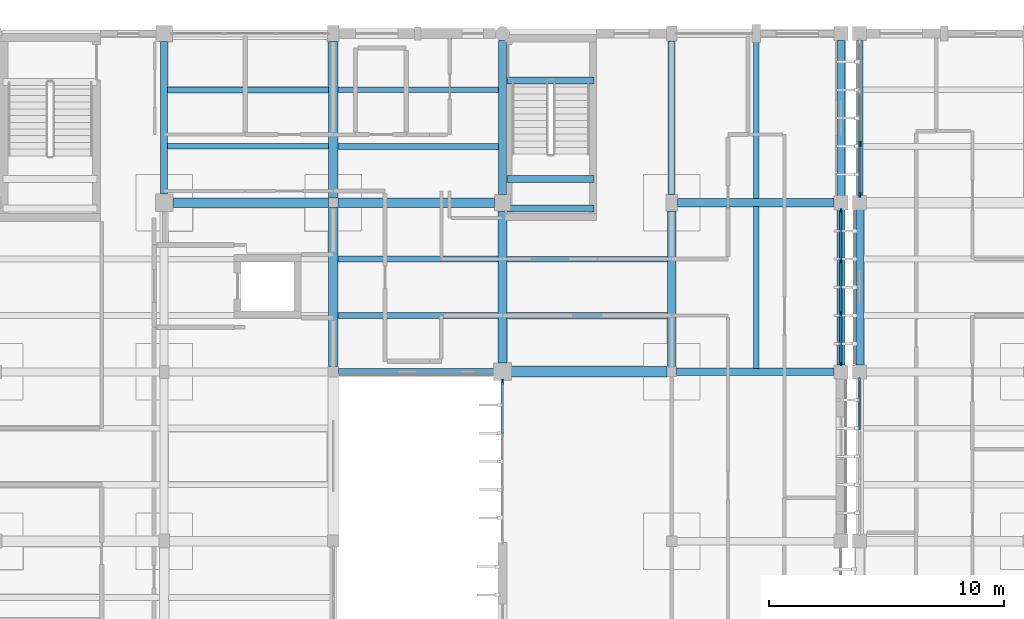
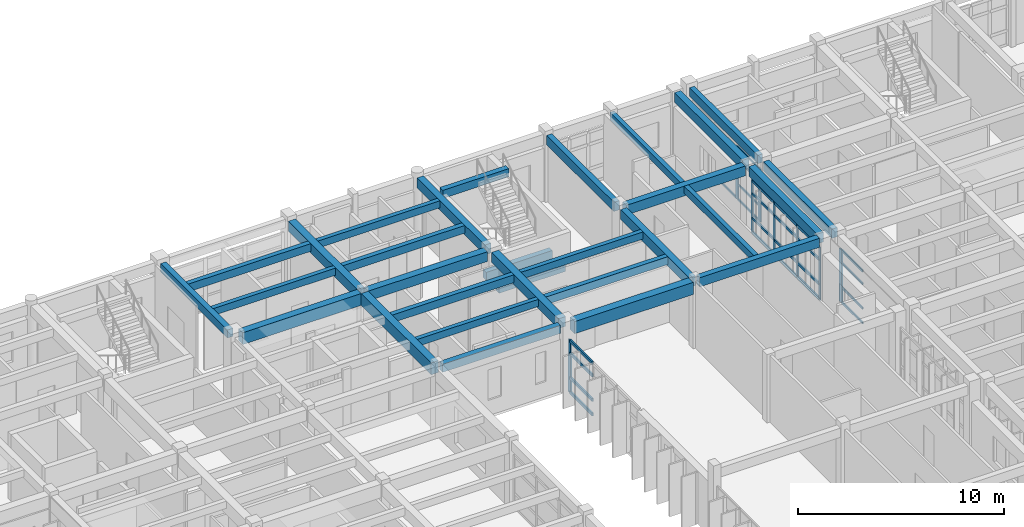
# One storey, part 17 of 55: 33 members, 30 beams, 4 elements without a shape of their own.
"""IFC4 building model written with IfcOpenShell, lengths in metres."""

from ifc_helpers import new_model, si_unit, direction, frame, origin, origin_2d, place, context, subcontext, project, spatial, rectangle, extrude, material, material_profile, profile_set, type_object, element, aggregate, save


model = new_model("IFC4")

# Units and contexts
model_context = context("Model", 3, precision=1e-05, world=origin(), true_north=direction((0.0, 1.0)))
body_context = subcontext(model_context, "Body", "Model", "MODEL_VIEW")
ifc_project = project(units=[si_unit("LENGTHUNIT", "METRE"), si_unit("AREAUNIT", "SQUARE_METRE"), si_unit("VOLUMEUNIT", "CUBIC_METRE"), si_unit("PLANEANGLEUNIT", "RADIAN"), si_unit("MASSUNIT", "GRAM", prefix="KILO")], contexts=[model_context])

# Site, building, storey
site_placement = place(None, origin())
site = spatial("IfcSite", under=ifc_project, at=site_placement, CompositionType="ELEMENT")
building_placement = place(site_placement, origin())
building = spatial("IfcBuilding", under=site, at=building_placement, Name="Steenspoor Specialist Clinic", CompositionType="ELEMENT")
storey_placement = place(building_placement, frame((0.0, 0.0, 13.199951171875)))
storey = spatial("IfcBuildingStorey", under=building, at=storey_placement, Name="L03", CompositionType="ELEMENT", Elevation=13.199951171875)

# Beams
ifc_material_1 = material(Name="Concrete C35/45", Category="concrete")
ifc_material_profile_1 = material_profile(ifc_material_1, rectangle(XDim=0.300048828125, YDim=0.47998046875, at=origin_2d()), Name="RC-BM-300X480")
ifc_profile_set_1 = profile_set([ifc_material_profile_1], Name="Concrete C35/45")
beam_type_1 = type_object("IfcBeamType", Name="BM-RC-300X480", PredefinedType="BEAM", material=ifc_profile_set_1)
for number, where, z_axis, x_axis, name in (
    (1, (103.0, 102.14990234375, 1.66015625), (1.0, 0.0, 0.0), (0.0, 1.0, 0.0), "Stair Mid-Landing Bearer 1 ST-V4B L03"),
    (2, (103.0, 100.89990234375, 1.66015625), (1.0, 0.0, 0.0), (0.0, 1.0, 0.0), "Stair Mid-Landing Bearer 2 ST-V4B L03"),
    (3, (103.0, 106.35009765625, 3.9599609375), (1.0, 0.0, 0.0), (0.0, 1.0, 0.0), "Stair Well Trimmer Beam ST-V4B L03"),
):
    element("IfcBeam", number, at=place(storey_placement, frame(where, z_axis=z_axis, x_axis=x_axis)), inside=storey, type_object=beam_type_1, Name=name, PredefinedType="BEAM", context=body_context, shape_type="SweptSolid", body=[
        extrude(rectangle(XDim=0.300048828125, YDim=0.47998046875, at=origin_2d()), origin(), (0.0, 0.0, 1.0), 3.699951171875),
    ])
beam_1_placement = place(storey_placement, frame((95.820068359375, 93.949951171875, 3.7099609375), z_axis=(1.0, 0.0, 0.0), x_axis=(0.0, 1.0, 0.0)))
element("IfcBeam", 4, at=beam_1_placement, inside=storey, type_object=beam_type_1, Name="BM-V4-L03-X0823", PredefinedType="BEAM", context=body_context, shape_type="SweptSolid", body=[
    extrude(rectangle(XDim=0.300048828125, YDim=0.47998046875, at=origin_2d()), origin(), (0.0, 0.0, 1.0), 6.60986328125),
])
beam_2_placement = place(storey_placement, frame((88.39990234375, 101.52001953125, 3.7099609375), z_axis=(0.0, 1.0, 0.0), x_axis=(-1.0, 0.0, 0.0)))
element("IfcBeam", 5, at=beam_2_placement, inside=storey, type_object=beam_type_1, Name="BM-V4-L03-Y0854", PredefinedType="BEAM", context=body_context, shape_type="SweptSolid", body=[
    extrude(rectangle(XDim=0.300048828125, YDim=0.47998046875, at=origin_2d()), origin(), (0.0, 0.0, 1.0), 6.48486328125),
])
ifc_material_profile_2 = material_profile(ifc_material_1, rectangle(XDim=0.300048828125, YDim=0.550048828125, at=origin_2d()), Name="RC-BM-300X550")
ifc_profile_set_2 = profile_set([ifc_material_profile_2], Name="Concrete C35/45")
beam_type_2 = type_object("IfcBeamType", Name="BM-RC-300X550", PredefinedType="BEAM", material=ifc_profile_set_2)
beam_3_placement = place(storey_placement, frame((110.0, 101.4951171875, 3.675048828125), z_axis=(0.0, 1.0, 0.0), x_axis=(-1.0, 0.0, 0.0)))
element("IfcBeam", 6, at=beam_3_placement, inside=storey, type_object=beam_type_2, Name="BM-V4-L03-Y0863", PredefinedType="BEAM", context=body_context, shape_type="SweptSolid", body=[
    extrude(rectangle(XDim=0.300048828125, YDim=0.550048828125, at=origin_2d()), origin(), (0.0, 0.0, 1.0), 6.534912109375),
])
ifc_material_profile_3 = material_profile(ifc_material_1, rectangle(XDim=0.35009765625, YDim=0.580078125, at=origin_2d()), Name="RC-BM-350X580")
ifc_profile_set_3 = profile_set([ifc_material_profile_3], Name="Concrete C35/45")
beam_type_3 = type_object("IfcBeamType", Name="BM-RC-350X580", PredefinedType="BEAM", material=ifc_profile_set_3)
beam_4_placement = place(storey_placement, frame((102.800048828125, 101.4951171875, 3.66015625), z_axis=(0.0, 1.0, 0.0), x_axis=(-1.0, 0.0, 0.0)))
element("IfcBeam", 7, at=beam_4_placement, inside=storey, type_object=beam_type_3, Name="BM-V4-L03-Y0861", PredefinedType="BEAM", context=body_context, shape_type="SweptSolid", body=[
    extrude(rectangle(XDim=0.35009765625, YDim=0.580078125, at=origin_2d()), origin(), (0.0, 0.0, 1.0), 6.559814453125),
])
for number, where, z_axis, x_axis, name in (
    (8, (110.0, 94.14501953125, 3.66015625), (0.0, 1.0, 0.0), (-1.0, 0.0, 0.0), "BM-V4-L03-Y0862"),
    (9, (110.2451171875, 101.14990234375, 3.66015625), (1.0, 0.0, 0.0), (0.0, 1.0, 0.0), "BM-V4-L03-X0908"),
):
    element("IfcBeam", number, at=place(storey_placement, frame(where, z_axis=z_axis, x_axis=x_axis)), inside=storey, type_object=beam_type_3, Name=name, PredefinedType="BEAM", context=body_context, shape_type="SweptSolid", body=[
        extrude(rectangle(XDim=0.35009765625, YDim=0.580078125, at=origin_2d()), origin(), (0.0, 0.0, 1.0), 6.659912109375),
    ])
for number, where, z_axis, x_axis, name in (
    (10, (117.199951171875, 94.2451171875, 3.66015625), (0.0, 1.0, 0.0), (-1.0, 0.0, 0.0), "BM-V4-L03-Y0909"),
    (11, (117.199951171875, 101.445068359375, 3.66015625), (0.0, 1.0, 0.0), (-1.0, 0.0, 0.0), "BM-V4-L03-Y0912"),
):
    element("IfcBeam", number, at=place(storey_placement, frame(where, z_axis=z_axis, x_axis=x_axis)), inside=storey, type_object=beam_type_3, Name=name, PredefinedType="BEAM", context=body_context, shape_type="SweptSolid", body=[
        extrude(rectangle(XDim=0.35009765625, YDim=0.580078125, at=origin_2d()), origin(), (0.0, 0.0, 1.0), 6.60986328125),
    ])
ifc_material_profile_4 = material_profile(ifc_material_1, rectangle(XDim=0.39990234375, YDim=0.580078125, at=origin_2d()), Name="RC-BM-400X580")
ifc_profile_set_4 = profile_set([ifc_material_profile_4], Name="Concrete C35/45")
beam_type_4 = type_object("IfcBeamType", Name="BM-RC-400X580", PredefinedType="BEAM", material=ifc_profile_set_4)
beam_5_placement = place(storey_placement, frame((95.794921875, 101.14990234375, 3.66015625), z_axis=(1.0, 0.0, 0.0), x_axis=(0.0, 1.0, 0.0)))
element("IfcBeam", 12, at=beam_5_placement, inside=storey, type_object=beam_type_4, Name="BM-V4-L03-X0828", PredefinedType="BEAM", context=body_context, shape_type="SweptSolid", body=[
    extrude(rectangle(XDim=0.39990234375, YDim=0.580078125, at=origin_2d()), origin(), (0.0, 0.0, 1.0), 6.66015625),
])
beam_6_placement = place(storey_placement, frame((95.60009765625, 101.344970703125, 3.66015625), z_axis=(0.0, 1.0, 0.0), x_axis=(-1.0, 0.0, 0.0)))
element("IfcBeam", 13, at=beam_6_placement, inside=storey, type_object=beam_type_4, Name="BM-V4-L03-Y0859", PredefinedType="BEAM", context=body_context, shape_type="SweptSolid", body=[
    extrude(rectangle(XDim=0.39990234375, YDim=0.580078125, at=origin_2d()), origin(), (0.0, 0.0, 1.0), 6.659912109375),
])
beam_7_placement = place(storey_placement, frame((102.800048828125, 94.320068359375, 3.66015625), z_axis=(0.0, 1.0, 0.0), x_axis=(-1.0, 0.0, 0.0)))
element("IfcBeam", 14, at=beam_7_placement, inside=storey, type_object=beam_type_4, Name="BM-V4-L03-Y0860", PredefinedType="BEAM", context=body_context, shape_type="SweptSolid", body=[
    extrude(rectangle(XDim=0.39990234375, YDim=0.580078125, at=origin_2d()), origin(), (0.0, 0.0, 1.0), 6.48486328125),
])
ifc_material_profile_5 = material_profile(ifc_material_1, rectangle(XDim=0.39990234375, YDim=0.699951171875, at=origin_2d()), Name="RC-BM-400X700")
ifc_profile_set_5 = profile_set([ifc_material_profile_5], Name="Concrete C35/45")
beam_type_5 = type_object("IfcBeamType", Name="BM-RC-400X700", PredefinedType="BEAM", material=ifc_profile_set_5)
beam_8_placement = place(storey_placement, frame((88.77001953125, 101.14990234375, 3.60009765625), z_axis=(1.0, 0.0, 0.0), x_axis=(0.0, 1.0, 0.0)))
element("IfcBeam", 15, at=beam_8_placement, inside=storey, type_object=beam_type_5, Name="BM-V4-L03-X0827", PredefinedType="BEAM", context=body_context, shape_type="SweptSolid", body=[
    extrude(rectangle(XDim=0.39990234375, YDim=0.699951171875, at=origin_2d()), origin(), (0.0, 0.0, 1.0), 6.635009765625),
])
beam_9_placement = place(storey_placement, frame((95.60009765625, 94.169921875, 3.60009765625), z_axis=(0.0, 1.0, 0.0), x_axis=(-1.0, 0.0, 0.0)))
element("IfcBeam", 16, at=beam_9_placement, inside=storey, type_object=beam_type_5, Name="BM-V4-L03-Y0858", PredefinedType="BEAM", context=body_context, shape_type="SweptSolid", body=[
    extrude(rectangle(XDim=0.39990234375, YDim=0.699951171875, at=origin_2d()), origin(), (0.0, 0.0, 1.0), 6.78515625),
])
ifc_material_profile_6 = material_profile(ifc_material_1, rectangle(XDim=0.449951171875, YDim=0.719970703125, at=origin_2d()), Name="RC-BM-450X720")
ifc_profile_set_6 = profile_set([ifc_material_profile_6], Name="Concrete C35/45")
beam_type_6 = type_object("IfcBeamType", Name="BM-RC-450X720", PredefinedType="BEAM", material=ifc_profile_set_6)
beam_10_placement = place(storey_placement, frame((103.169921875, 93.949951171875, 3.590087890625), z_axis=(1.0, 0.0, 0.0), x_axis=(0.0, 1.0, 0.0)))
element("IfcBeam", 17, at=beam_10_placement, inside=storey, type_object=beam_type_6, Name="BM-V4-L03-X0824", PredefinedType="BEAM", context=body_context, shape_type="SweptSolid", body=[
    extrude(rectangle(XDim=0.449951171875, YDim=0.719970703125, at=origin_2d()), origin(), (0.0, 0.0, 1.0), 6.635009765625),
])

# Curtain wall, members
ifc_material_2 = material(Name="Thermally broken aluminium and low-emissivity glass", Category="aluminium")
curtain_wall_type_1 = type_object("IfcCurtainWallType", Name="CW-TYP-360X355", PredefinedType="USERDEFINED", material=ifc_material_2)
curtain_wall_1_placement = place(storey_placement, origin())
curtain_wall_1 = element("IfcCurtainWall", 18, at=curtain_wall_1_placement, inside=storey, type_object=curtain_wall_type_1, Name="Unitised Curtain Wall CW-V4-L03-110", ObjectType="UNITISED GLAZING", PredefinedType="USERDEFINED")
ifc_material_3 = material(Name="Thermally broken aluminium 6063-T6", Category="aluminium")
ifc_material_profile_7 = material_profile(ifc_material_3, rectangle(XDim=0.070068359375, YDim=0.1650390625, at=origin_2d()), Name="CWM-70X165")
ifc_profile_set_7 = profile_set([ifc_material_profile_7], Name="Thermally broken aluminium 6063-T6")
member_type_1 = type_object("IfcMemberType", Name="CW-MULL-70X165", PredefinedType="MULLION", material=ifc_profile_set_7)
member_1_placement = place(storey_placement, frame((117.199951171875, 100.81494140625, 0.0), z_axis=(0.0, 0.0, 1.0), x_axis=(1.0, 0.0, 0.0)))
member_1 = element("IfcMember", 19, at=member_1_placement, type_object=member_type_1, Name="CW-14 mullion 1", PredefinedType="MULLION", context=body_context, shape_type="SweptSolid", body=[
    extrude(rectangle(XDim=0.070068359375, YDim=0.1650390625, at=origin_2d()), origin(), (0.0, 0.0, 1.0), 3.130126953125),
])
member_2_placement = place(storey_placement, frame((117.199951171875, 98.64990234375, 0.0), z_axis=(0.0, 0.0, 1.0), x_axis=(1.0, 0.0, 0.0)))
member_2 = element("IfcMember", 20, at=member_2_placement, type_object=member_type_1, Name="CW-14 mullion 2", PredefinedType="MULLION", context=body_context, shape_type="SweptSolid", body=[
    extrude(rectangle(XDim=0.070068359375, YDim=0.1650390625, at=origin_2d()), origin(), (0.0, 0.0, 1.0), 3.130126953125),
])
member_3_placement = place(storey_placement, frame((117.199951171875, 96.449951171875, 0.0), z_axis=(0.0, 0.0, 1.0), x_axis=(1.0, 0.0, 0.0)))
member_3 = element("IfcMember", 21, at=member_3_placement, type_object=member_type_1, Name="CW-14 mullion 3", PredefinedType="MULLION", context=body_context, shape_type="SweptSolid", body=[
    extrude(rectangle(XDim=0.070068359375, YDim=0.1650390625, at=origin_2d()), origin(), (0.0, 0.0, 1.0), 3.130126953125),
])
member_4_placement = place(storey_placement, frame((117.199951171875, 94.284912109375, 0.0), z_axis=(0.0, 0.0, 1.0), x_axis=(1.0, 0.0, 0.0)))
member_4 = element("IfcMember", 22, at=member_4_placement, type_object=member_type_1, Name="CW-14 mullion 4", PredefinedType="MULLION", context=body_context, shape_type="SweptSolid", body=[
    extrude(rectangle(XDim=0.070068359375, YDim=0.1650390625, at=origin_2d()), origin(), (0.0, 0.0, 1.0), 3.130126953125),
])

# Curtain wall, member
curtain_wall_type_2 = type_object("IfcCurtainWallType", Name="CW-SCR-480X320", PredefinedType="USERDEFINED", material=ifc_material_2)
curtain_wall_2_placement = place(storey_placement, origin())
curtain_wall_2 = element("IfcCurtainWall", 23, at=curtain_wall_2_placement, inside=storey, type_object=curtain_wall_type_2, Name="Unitised Curtain Wall CW-V4-L03-114", ObjectType="UNITISED GLAZING", PredefinedType="USERDEFINED")
ifc_material_profile_8 = material_profile(ifc_material_3, rectangle(XDim=0.080078125, YDim=0.219970703125, at=origin_2d()), Name="CWM-80X220")
ifc_profile_set_8 = profile_set([ifc_material_profile_8], Name="Thermally broken aluminium 6063-T6")
member_type_2 = type_object("IfcMemberType", Name="CW-MULL-80X220", PredefinedType="MULLION", material=ifc_profile_set_8)
member_5_placement = place(storey_placement, frame((102.800048828125, 93.534912109375, 0.0), z_axis=(0.0, 0.0, 1.0), x_axis=(-1.0, 0.0, 0.0)))
member_5 = element("IfcMember", 24, at=member_5_placement, type_object=member_type_2, Name="CW-18 mullion 4", PredefinedType="MULLION", context=body_context, shape_type="SweptSolid", body=[
    extrude(rectangle(XDim=0.080078125, YDim=0.219970703125, at=origin_2d()), origin(), (0.0, 0.0, 1.0), 3.130126953125),
])

# Curtain wall, members
curtain_wall_type_3 = type_object("IfcCurtainWallType", Name="CW-L00-480X415", PredefinedType="USERDEFINED", material=ifc_material_2)
curtain_wall_3_placement = place(storey_placement, origin())
curtain_wall_3 = element("IfcCurtainWall", 25, at=curtain_wall_3_placement, inside=storey, type_object=curtain_wall_type_3, Name="Unitised Curtain Wall CW-V6-L03-198", ObjectType="UNITISED GLAZING", PredefinedType="USERDEFINED")
member_6_placement = place(storey_placement, frame((118.0, 101.489990234375, 0.0), z_axis=(0.0, 0.0, 1.0), x_axis=(-1.0, 0.0, 0.0)))
member_6 = element("IfcMember", 26, at=member_6_placement, type_object=member_type_2, Name="CW-06 mullion 1", PredefinedType="MULLION", context=body_context, shape_type="SweptSolid", body=[
    extrude(rectangle(XDim=0.080078125, YDim=0.219970703125, at=origin_2d()), origin(), (0.0, 0.0, 1.0), 3.130126953125),
])
member_7_placement = place(storey_placement, frame((118.0, 103.64990234375, 0.0), z_axis=(0.0, 0.0, 1.0), x_axis=(-1.0, 0.0, 0.0)))
member_7 = element("IfcMember", 27, at=member_7_placement, type_object=member_type_2, Name="CW-06 mullion 2", PredefinedType="MULLION", context=body_context, shape_type="SweptSolid", body=[
    extrude(rectangle(XDim=0.080078125, YDim=0.219970703125, at=origin_2d()), origin(), (0.0, 0.0, 1.0), 3.130126953125),
])

# Curtain wall, member
curtain_wall_type_4 = type_object("IfcCurtainWallType", Name="CW-L00-650X415", PredefinedType="USERDEFINED", material=ifc_material_2)
curtain_wall_4_placement = place(storey_placement, origin())
curtain_wall_4 = element("IfcCurtainWall", 28, at=curtain_wall_4_placement, inside=storey, type_object=curtain_wall_type_4, Name="Unitised Curtain Wall CW-V6-L03-197", ObjectType="UNITISED GLAZING", PredefinedType="USERDEFINED")
ifc_material_profile_9 = material_profile(ifc_material_3, rectangle(XDim=0.090087890625, YDim=0.199951171875, at=origin_2d()), Name="CWM-90X200")
ifc_profile_set_9 = profile_set([ifc_material_profile_9], Name="Thermally broken aluminium 6063-T6")
member_type_3 = type_object("IfcMemberType", Name="CW-MULL-90X200", PredefinedType="MULLION", material=ifc_profile_set_9)
member_8_placement = place(storey_placement, frame((118.0, 93.60498046875, 0.0), z_axis=(0.0, 0.0, 1.0), x_axis=(-1.0, 0.0, 0.0)))
member_8 = element("IfcMember", 29, at=member_8_placement, type_object=member_type_3, Name="CW-05 mullion 4", PredefinedType="MULLION", context=body_context, shape_type="SweptSolid", body=[
    extrude(rectangle(XDim=0.090087890625, YDim=0.199951171875, at=origin_2d()), origin(), (0.0, 0.0, 1.0), 3.130126953125),
])

# Member
ifc_material_profile_10 = material_profile(ifc_material_3, rectangle(XDim=0.06005859375, YDim=0.114990234375, at=origin_2d()), Name="CWT-60X115")
ifc_profile_set_10 = profile_set([ifc_material_profile_10], Name="Thermally broken aluminium 6063-T6")
member_type_4 = type_object("IfcMemberType", Name="CW-TRAN-60X115", PredefinedType="USERDEFINED", material=ifc_profile_set_10)
member_9_placement = place(storey_placement, frame((118.0, 101.530029296875, 0.030029296875), z_axis=(0.0, 1.0, 0.0), x_axis=(-1.0, 0.0, 0.0)))
member_9 = element("IfcMember", 30, at=member_9_placement, type_object=member_type_4, Name="CW-06 transom 1.1", ObjectType="TRANSOM", PredefinedType="USERDEFINED", context=body_context, shape_type="SweptSolid", body=[
    extrude(rectangle(XDim=0.06005859375, YDim=0.114990234375, at=origin_2d()), origin(), (0.0, 0.0, 1.0), 2.080078125),
])

member_10_placement = place(storey_placement, frame((118.0, 101.530029296875, 0.900146484375), z_axis=(0.0, 1.0, 0.0), x_axis=(-1.0, 0.0, 0.0)))
member_10 = element("IfcMember", 31, at=member_10_placement, type_object=member_type_4, Name="CW-06 transom 1.2", ObjectType="TRANSOM", PredefinedType="USERDEFINED", context=body_context, shape_type="SweptSolid", body=[
    extrude(rectangle(XDim=0.06005859375, YDim=0.114990234375, at=origin_2d()), origin(), (0.0, 0.0, 1.0), 2.080078125),
])

member_11_placement = place(storey_placement, frame((118.0, 101.530029296875, 2.35009765625), z_axis=(0.0, 1.0, 0.0), x_axis=(-1.0, 0.0, 0.0)))
member_11 = element("IfcMember", 32, at=member_11_placement, type_object=member_type_4, Name="CW-06 transom 1.3", ObjectType="TRANSOM", PredefinedType="USERDEFINED", context=body_context, shape_type="SweptSolid", body=[
    extrude(rectangle(XDim=0.06005859375, YDim=0.114990234375, at=origin_2d()), origin(), (0.0, 0.0, 1.0), 2.080078125),
])

member_12_placement = place(storey_placement, frame((118.0, 101.530029296875, 3.10009765625), z_axis=(0.0, 1.0, 0.0), x_axis=(-1.0, 0.0, 0.0)))
member_12 = element("IfcMember", 33, at=member_12_placement, type_object=member_type_4, Name="CW-06 transom 1.4", ObjectType="TRANSOM", PredefinedType="USERDEFINED", context=body_context, shape_type="SweptSolid", body=[
    extrude(rectangle(XDim=0.06005859375, YDim=0.114990234375, at=origin_2d()), origin(), (0.0, 0.0, 1.0), 2.080078125),
])

member_13_placement = place(storey_placement, frame((118.0, 103.68994140625, 0.030029296875), z_axis=(0.0, 1.0, 0.0), x_axis=(-1.0, 0.0, 0.0)))
member_13 = element("IfcMember", 34, at=member_13_placement, type_object=member_type_4, Name="CW-06 transom 2.1", ObjectType="TRANSOM", PredefinedType="USERDEFINED", context=body_context, shape_type="SweptSolid", body=[
    extrude(rectangle(XDim=0.06005859375, YDim=0.114990234375, at=origin_2d()), origin(), (0.0, 0.0, 1.0), 2.1201171875),
])

aggregate(curtain_wall_3, [member_6, member_7, member_9, member_10, member_11, member_12, member_13])

ifc_material_profile_11 = material_profile(ifc_material_3, rectangle(XDim=0.06494140625, YDim=0.1298828125, at=origin_2d()), Name="CWT-65X130")
ifc_profile_set_11 = profile_set([ifc_material_profile_11], Name="Thermally broken aluminium 6063-T6")
member_type_5 = type_object("IfcMemberType", Name="CW-TRAN-65X130", PredefinedType="USERDEFINED", material=ifc_profile_set_11)
member_14_placement = place(storey_placement, frame((118.0, 91.4951171875, 0.032470703125), z_axis=(0.0, 1.0, 0.0), x_axis=(-1.0, 0.0, 0.0)))
member_14 = element("IfcMember", 35, at=member_14_placement, type_object=member_type_5, Name="CW-05 transom 3.1", ObjectType="TRANSOM", PredefinedType="USERDEFINED", context=body_context, shape_type="SweptSolid", body=[
    extrude(rectangle(XDim=0.06494140625, YDim=0.1298828125, at=origin_2d()), origin(), (0.0, 0.0, 1.0), 2.06494140625),
])

member_15_placement = place(storey_placement, frame((118.0, 91.4951171875, 0.900146484375), z_axis=(0.0, 1.0, 0.0), x_axis=(-1.0, 0.0, 0.0)))
member_15 = element("IfcMember", 36, at=member_15_placement, type_object=member_type_5, Name="CW-05 transom 3.2", ObjectType="TRANSOM", PredefinedType="USERDEFINED", context=body_context, shape_type="SweptSolid", body=[
    extrude(rectangle(XDim=0.06494140625, YDim=0.1298828125, at=origin_2d()), origin(), (0.0, 0.0, 1.0), 2.06494140625),
])

member_16_placement = place(storey_placement, frame((118.0, 91.4951171875, 2.35009765625), z_axis=(0.0, 1.0, 0.0), x_axis=(-1.0, 0.0, 0.0)))
member_16 = element("IfcMember", 37, at=member_16_placement, type_object=member_type_5, Name="CW-05 transom 3.3", ObjectType="TRANSOM", PredefinedType="USERDEFINED", context=body_context, shape_type="SweptSolid", body=[
    extrude(rectangle(XDim=0.06494140625, YDim=0.1298828125, at=origin_2d()), origin(), (0.0, 0.0, 1.0), 2.06494140625),
])

member_17_placement = place(storey_placement, frame((118.0, 91.4951171875, 3.09765625), z_axis=(0.0, 1.0, 0.0), x_axis=(-1.0, 0.0, 0.0)))
member_17 = element("IfcMember", 38, at=member_17_placement, type_object=member_type_5, Name="CW-05 transom 3.4", ObjectType="TRANSOM", PredefinedType="USERDEFINED", context=body_context, shape_type="SweptSolid", body=[
    extrude(rectangle(XDim=0.06494140625, YDim=0.1298828125, at=origin_2d()), origin(), (0.0, 0.0, 1.0), 2.06494140625),
])

aggregate(curtain_wall_4, [member_8, member_14, member_15, member_16, member_17])

ifc_material_profile_12 = material_profile(ifc_material_3, rectangle(XDim=0.080078125, YDim=0.159912109375, at=origin_2d()), Name="CWT-80X160")
ifc_profile_set_12 = profile_set([ifc_material_profile_12], Name="Thermally broken aluminium 6063-T6")
member_type_6 = type_object("IfcMemberType", Name="CW-TRAN-80X160", PredefinedType="USERDEFINED", material=ifc_profile_set_12)
member_18_placement = place(storey_placement, frame((117.199951171875, 100.780029296875, 0.0400390625), z_axis=(0.0, -1.0, 0.0), x_axis=(1.0, 0.0, 0.0)))
member_18 = element("IfcMember", 39, at=member_18_placement, type_object=member_type_6, Name="CW-14 transom 1.1", ObjectType="TRANSOM", PredefinedType="USERDEFINED", context=body_context, shape_type="SweptSolid", body=[
    extrude(rectangle(XDim=0.080078125, YDim=0.159912109375, at=origin_2d()), origin(), (0.0, 0.0, 1.0), 2.094970703125),
])

member_19_placement = place(storey_placement, frame((117.199951171875, 100.780029296875, 0.900146484375), z_axis=(0.0, -1.0, 0.0), x_axis=(1.0, 0.0, 0.0)))
member_19 = element("IfcMember", 40, at=member_19_placement, type_object=member_type_6, Name="CW-14 transom 1.2", ObjectType="TRANSOM", PredefinedType="USERDEFINED", context=body_context, shape_type="SweptSolid", body=[
    extrude(rectangle(XDim=0.080078125, YDim=0.159912109375, at=origin_2d()), origin(), (0.0, 0.0, 1.0), 2.094970703125),
])

member_20_placement = place(storey_placement, frame((117.199951171875, 100.780029296875, 2.35009765625), z_axis=(0.0, -1.0, 0.0), x_axis=(1.0, 0.0, 0.0)))
member_20 = element("IfcMember", 41, at=member_20_placement, type_object=member_type_6, Name="CW-14 transom 1.3", ObjectType="TRANSOM", PredefinedType="USERDEFINED", context=body_context, shape_type="SweptSolid", body=[
    extrude(rectangle(XDim=0.080078125, YDim=0.159912109375, at=origin_2d()), origin(), (0.0, 0.0, 1.0), 2.094970703125),
])

member_21_placement = place(storey_placement, frame((117.199951171875, 100.780029296875, 3.090087890625), z_axis=(0.0, -1.0, 0.0), x_axis=(1.0, 0.0, 0.0)))
member_21 = element("IfcMember", 42, at=member_21_placement, type_object=member_type_6, Name="CW-14 transom 1.4", ObjectType="TRANSOM", PredefinedType="USERDEFINED", context=body_context, shape_type="SweptSolid", body=[
    extrude(rectangle(XDim=0.080078125, YDim=0.159912109375, at=origin_2d()), origin(), (0.0, 0.0, 1.0), 2.094970703125),
])

member_22_placement = place(storey_placement, frame((117.199951171875, 98.614990234375, 0.0400390625), z_axis=(0.0, -1.0, 0.0), x_axis=(1.0, 0.0, 0.0)))
member_22 = element("IfcMember", 43, at=member_22_placement, type_object=member_type_6, Name="CW-14 transom 2.1", ObjectType="TRANSOM", PredefinedType="USERDEFINED", context=body_context, shape_type="SweptSolid", body=[
    extrude(rectangle(XDim=0.080078125, YDim=0.159912109375, at=origin_2d()), origin(), (0.0, 0.0, 1.0), 2.1298828125),
])

member_23_placement = place(storey_placement, frame((117.199951171875, 98.614990234375, 0.900146484375), z_axis=(0.0, -1.0, 0.0), x_axis=(1.0, 0.0, 0.0)))
member_23 = element("IfcMember", 44, at=member_23_placement, type_object=member_type_6, Name="CW-14 transom 2.2", ObjectType="TRANSOM", PredefinedType="USERDEFINED", context=body_context, shape_type="SweptSolid", body=[
    extrude(rectangle(XDim=0.080078125, YDim=0.159912109375, at=origin_2d()), origin(), (0.0, 0.0, 1.0), 2.1298828125),
])

member_24_placement = place(storey_placement, frame((117.199951171875, 98.614990234375, 2.35009765625), z_axis=(0.0, -1.0, 0.0), x_axis=(1.0, 0.0, 0.0)))
member_24 = element("IfcMember", 45, at=member_24_placement, type_object=member_type_6, Name="CW-14 transom 2.3", ObjectType="TRANSOM", PredefinedType="USERDEFINED", context=body_context, shape_type="SweptSolid", body=[
    extrude(rectangle(XDim=0.080078125, YDim=0.159912109375, at=origin_2d()), origin(), (0.0, 0.0, 1.0), 2.1298828125),
])

member_25_placement = place(storey_placement, frame((117.199951171875, 98.614990234375, 3.090087890625), z_axis=(0.0, -1.0, 0.0), x_axis=(1.0, 0.0, 0.0)))
member_25 = element("IfcMember", 46, at=member_25_placement, type_object=member_type_6, Name="CW-14 transom 2.4", ObjectType="TRANSOM", PredefinedType="USERDEFINED", context=body_context, shape_type="SweptSolid", body=[
    extrude(rectangle(XDim=0.080078125, YDim=0.159912109375, at=origin_2d()), origin(), (0.0, 0.0, 1.0), 2.1298828125),
])

member_26_placement = place(storey_placement, frame((117.199951171875, 96.4150390625, 0.0400390625), z_axis=(0.0, -1.0, 0.0), x_axis=(1.0, 0.0, 0.0)))
member_26 = element("IfcMember", 47, at=member_26_placement, type_object=member_type_6, Name="CW-14 transom 3.1", ObjectType="TRANSOM", PredefinedType="USERDEFINED", context=body_context, shape_type="SweptSolid", body=[
    extrude(rectangle(XDim=0.080078125, YDim=0.159912109375, at=origin_2d()), origin(), (0.0, 0.0, 1.0), 2.094970703125),
])

member_27_placement = place(storey_placement, frame((117.199951171875, 96.4150390625, 0.900146484375), z_axis=(0.0, -1.0, 0.0), x_axis=(1.0, 0.0, 0.0)))
member_27 = element("IfcMember", 48, at=member_27_placement, type_object=member_type_6, Name="CW-14 transom 3.2", ObjectType="TRANSOM", PredefinedType="USERDEFINED", context=body_context, shape_type="SweptSolid", body=[
    extrude(rectangle(XDim=0.080078125, YDim=0.159912109375, at=origin_2d()), origin(), (0.0, 0.0, 1.0), 2.094970703125),
])

member_28_placement = place(storey_placement, frame((117.199951171875, 96.4150390625, 2.35009765625), z_axis=(0.0, -1.0, 0.0), x_axis=(1.0, 0.0, 0.0)))
member_28 = element("IfcMember", 49, at=member_28_placement, type_object=member_type_6, Name="CW-14 transom 3.3", ObjectType="TRANSOM", PredefinedType="USERDEFINED", context=body_context, shape_type="SweptSolid", body=[
    extrude(rectangle(XDim=0.080078125, YDim=0.159912109375, at=origin_2d()), origin(), (0.0, 0.0, 1.0), 2.094970703125),
])

member_29_placement = place(storey_placement, frame((117.199951171875, 96.4150390625, 3.090087890625), z_axis=(0.0, -1.0, 0.0), x_axis=(1.0, 0.0, 0.0)))
member_29 = element("IfcMember", 50, at=member_29_placement, type_object=member_type_6, Name="CW-14 transom 3.4", ObjectType="TRANSOM", PredefinedType="USERDEFINED", context=body_context, shape_type="SweptSolid", body=[
    extrude(rectangle(XDim=0.080078125, YDim=0.159912109375, at=origin_2d()), origin(), (0.0, 0.0, 1.0), 2.094970703125),
])

aggregate(curtain_wall_1, [member_1, member_2, member_3, member_4, member_18, member_19, member_20, member_21, member_22, member_23, member_24, member_25, member_26, member_27, member_28, member_29])

ifc_material_profile_13 = material_profile(ifc_material_3, rectangle(XDim=0.090087890625, YDim=0.175048828125, at=origin_2d()), Name="CWT-90X175")
ifc_profile_set_13 = profile_set([ifc_material_profile_13], Name="Thermally broken aluminium 6063-T6")
member_type_7 = type_object("IfcMemberType", Name="CW-TRAN-90X175", PredefinedType="USERDEFINED", material=ifc_profile_set_13)
member_30_placement = place(storey_placement, frame((102.800048828125, 91.3232421875, 0.045166015625), z_axis=(0.0, 1.0, 0.0), x_axis=(-1.0, 0.0, 0.0)))
member_30 = element("IfcMember", 51, at=member_30_placement, type_object=member_type_7, Name="CW-18 transom 3.1", ObjectType="TRANSOM", PredefinedType="USERDEFINED", context=body_context, shape_type="SweptSolid", body=[
    extrude(rectangle(XDim=0.090087890625, YDim=0.175048828125, at=origin_2d()), origin(), (0.0, 0.0, 1.0), 2.171875),
])

member_31_placement = place(storey_placement, frame((102.800048828125, 91.3232421875, 0.900146484375), z_axis=(0.0, 1.0, 0.0), x_axis=(-1.0, 0.0, 0.0)))
member_31 = element("IfcMember", 52, at=member_31_placement, type_object=member_type_7, Name="CW-18 transom 3.2", ObjectType="TRANSOM", PredefinedType="USERDEFINED", context=body_context, shape_type="SweptSolid", body=[
    extrude(rectangle(XDim=0.090087890625, YDim=0.175048828125, at=origin_2d()), origin(), (0.0, 0.0, 1.0), 2.171875),
])

member_32_placement = place(storey_placement, frame((102.800048828125, 91.3232421875, 2.35009765625), z_axis=(0.0, 1.0, 0.0), x_axis=(-1.0, 0.0, 0.0)))
member_32 = element("IfcMember", 53, at=member_32_placement, type_object=member_type_7, Name="CW-18 transom 3.3", ObjectType="TRANSOM", PredefinedType="USERDEFINED", context=body_context, shape_type="SweptSolid", body=[
    extrude(rectangle(XDim=0.090087890625, YDim=0.175048828125, at=origin_2d()), origin(), (0.0, 0.0, 1.0), 2.171875),
])

member_33_placement = place(storey_placement, frame((102.800048828125, 91.3232421875, 3.0849609375), z_axis=(0.0, 1.0, 0.0), x_axis=(-1.0, 0.0, 0.0)))
member_33 = element("IfcMember", 54, at=member_33_placement, type_object=member_type_7, Name="CW-18 transom 3.4", ObjectType="TRANSOM", PredefinedType="USERDEFINED", context=body_context, shape_type="SweptSolid", body=[
    extrude(rectangle(XDim=0.090087890625, YDim=0.175048828125, at=origin_2d()), origin(), (0.0, 0.0, 1.0), 2.171875),
])

aggregate(curtain_wall_2, [member_5, member_30, member_31, member_32, member_33])

# Beams
ifc_material_profile_14 = material_profile(ifc_material_1, rectangle(XDim=0.239990234375, YDim=0.419921875, at=origin_2d()), Name="RC-JT-240X420")
ifc_profile_set_14 = profile_set([ifc_material_profile_14], Name="Concrete C35/45")
beam_type_7 = type_object("IfcBeamType", Name="JT-RC-240X420", PredefinedType="JOIST", material=ifc_profile_set_14)
beam_11_placement = place(storey_placement, frame((88.544921875, 103.550048828125, 3.739990234375), z_axis=(1.0, 0.0, 0.0), x_axis=(0.0, 1.0, 0.0)))
element("IfcBeam", 55, at=beam_11_placement, inside=storey, type_object=beam_type_7, Name="JT-V4-L03-0900", PredefinedType="JOIST", context=body_context, shape_type="SweptSolid", body=[
    extrude(rectangle(XDim=0.239990234375, YDim=0.419921875, at=origin_2d()), origin(), (0.0, 0.0, 1.0), 6.860107421875),
])
beam_12_placement = place(storey_placement, frame((95.794921875, 96.35009765625, 3.739990234375), z_axis=(1.0, 0.0, 0.0), x_axis=(0.0, 1.0, 0.0)))
element("IfcBeam", 56, at=beam_12_placement, inside=storey, type_object=beam_type_7, Name="JT-V4-L03-0902", PredefinedType="JOIST", context=body_context, shape_type="SweptSolid", body=[
    extrude(rectangle(XDim=0.239990234375, YDim=0.419921875, at=origin_2d()), origin(), (0.0, 0.0, 1.0), 6.81005859375),
])
for number, where, z_axis, x_axis, name in (
    (57, (95.794921875, 105.949951171875, 3.739990234375), (1.0, 0.0, 0.0), (0.0, 1.0, 0.0), "JT-V4-L03-0905"),
    (58, (102.9951171875, 98.75, 3.739990234375), (1.0, 0.0, 0.0), (0.0, 1.0, 0.0), "JT-V4-L03-0907"),
):
    element("IfcBeam", number, at=place(storey_placement, frame(where, z_axis=z_axis, x_axis=x_axis)), inside=storey, type_object=beam_type_7, Name=name, PredefinedType="JOIST", context=body_context, shape_type="SweptSolid", body=[
        extrude(rectangle(XDim=0.239990234375, YDim=0.419921875, at=origin_2d()), origin(), (0.0, 0.0, 1.0), 6.8349609375),
    ])
beam_13_placement = place(storey_placement, frame((113.60009765625, 94.10498046875, 3.739990234375), z_axis=(0.0, 1.0, 0.0), x_axis=(-1.0, 0.0, 0.0)))
element("IfcBeam", 59, at=beam_13_placement, inside=storey, type_object=beam_type_7, Name="JT-V4-L03-0910", PredefinedType="JOIST", context=body_context, shape_type="SweptSolid", body=[
    extrude(rectangle(XDim=0.239990234375, YDim=0.419921875, at=origin_2d()), origin(), (0.0, 0.0, 1.0), 6.875),
])
beam_14_placement = place(storey_placement, frame((113.60009765625, 101.320068359375, 3.739990234375), z_axis=(0.0, 1.0, 0.0), x_axis=(-1.0, 0.0, 0.0)))
element("IfcBeam", 60, at=beam_14_placement, inside=storey, type_object=beam_type_7, Name="JT-V4-L03-0913", PredefinedType="JOIST", context=body_context, shape_type="SweptSolid", body=[
    extrude(rectangle(XDim=0.239990234375, YDim=0.419921875, at=origin_2d()), origin(), (0.0, 0.0, 1.0), 6.85986328125),
])
ifc_material_profile_15 = material_profile(ifc_material_1, rectangle(XDim=0.260009765625, YDim=0.4599609375, at=origin_2d()), Name="RC-JT-260X460")
ifc_profile_set_15 = profile_set([ifc_material_profile_15], Name="Concrete C35/45")
beam_type_8 = type_object("IfcBeamType", Name="JT-RC-260X460", PredefinedType="JOIST", material=ifc_profile_set_15)
beam_15_placement = place(storey_placement, frame((88.544921875, 105.949951171875, 3.719970703125), z_axis=(1.0, 0.0, 0.0), x_axis=(0.0, 1.0, 0.0)))
element("IfcBeam", 61, at=beam_15_placement, inside=storey, type_object=beam_type_8, Name="JT-V4-L03-0901", PredefinedType="JOIST", context=body_context, shape_type="SweptSolid", body=[
    extrude(rectangle(XDim=0.260009765625, YDim=0.4599609375, at=origin_2d()), origin(), (0.0, 0.0, 1.0), 6.860107421875),
])
beam_16_placement = place(storey_placement, frame((95.794921875, 98.75, 3.719970703125), z_axis=(1.0, 0.0, 0.0), x_axis=(0.0, 1.0, 0.0)))
element("IfcBeam", 62, at=beam_16_placement, inside=storey, type_object=beam_type_8, Name="JT-V4-L03-0903", PredefinedType="JOIST", context=body_context, shape_type="SweptSolid", body=[
    extrude(rectangle(XDim=0.260009765625, YDim=0.4599609375, at=origin_2d()), origin(), (0.0, 0.0, 1.0), 6.81005859375),
])
for number, where, z_axis, x_axis, name in (
    (63, (95.794921875, 103.550048828125, 3.719970703125), (1.0, 0.0, 0.0), (0.0, 1.0, 0.0), "JT-V4-L03-0904"),
    (64, (102.9951171875, 96.35009765625, 3.719970703125), (1.0, 0.0, 0.0), (0.0, 1.0, 0.0), "JT-V4-L03-0906"),
):
    element("IfcBeam", number, at=place(storey_placement, frame(where, z_axis=z_axis, x_axis=x_axis)), inside=storey, type_object=beam_type_8, Name=name, PredefinedType="JOIST", context=body_context, shape_type="SweptSolid", body=[
        extrude(rectangle(XDim=0.260009765625, YDim=0.4599609375, at=origin_2d()), origin(), (0.0, 0.0, 1.0), 6.8349609375),
    ])
ifc_material_profile_16 = material_profile(ifc_material_1, rectangle(XDim=0.280029296875, YDim=0.5, at=origin_2d()), Name="RC-SP-280X500")
ifc_profile_set_16 = profile_set([ifc_material_profile_16], Name="Concrete C35/45")
beam_type_9 = type_object("IfcBeamType", Name="SP-RC-280X500", PredefinedType="SPANDREL", material=ifc_profile_set_16)
beam_17_placement = place(storey_placement, frame((118.0, 101.445068359375, 3.699951171875), z_axis=(0.0, 1.0, 0.0), x_axis=(-1.0, 0.0, 0.0)))
element("IfcBeam", 65, at=beam_17_placement, inside=storey, type_object=beam_type_9, Name="BM-V6-L03-Y1729", PredefinedType="SPANDREL", context=body_context, shape_type="SweptSolid", body=[
    extrude(rectangle(XDim=0.280029296875, YDim=0.5, at=origin_2d()), origin(), (0.0, 0.0, 1.0), 6.60986328125),
])
ifc_material_profile_17 = material_profile(ifc_material_1, rectangle(XDim=0.320068359375, YDim=0.5400390625, at=origin_2d()), Name="RC-SP-320X540")
ifc_profile_set_17 = profile_set([ifc_material_profile_17], Name="Concrete C35/45")
beam_type_10 = type_object("IfcBeamType", Name="SP-RC-320X540", PredefinedType="SPANDREL", material=ifc_profile_set_17)
beam_18_placement = place(storey_placement, frame((110.195068359375, 93.949951171875, 3.76513671875), z_axis=(1.0, 0.0, 0.0), x_axis=(0.0, 1.0, 0.0)))
element("IfcBeam", 66, at=beam_18_placement, inside=storey, type_object=beam_type_10, Name="BMTIER-V4-L03-X08-04", PredefinedType="SPANDREL", context=body_context, shape_type="SweptSolid", body=[
    extrude(rectangle(XDim=0.320068359375, YDim=0.5400390625, at=origin_2d()), origin(), (0.0, 0.0, 1.0), 6.7099609375),
])
beam_19_placement = place(storey_placement, frame((118.0, 94.2451171875, 3.679931640625), z_axis=(0.0, 1.0, 0.0), x_axis=(-1.0, 0.0, 0.0)))
element("IfcBeam", 67, at=beam_19_placement, inside=storey, type_object=beam_type_10, Name="BM-V6-L03-Y1728", PredefinedType="SPANDREL", context=body_context, shape_type="SweptSolid", body=[
    extrude(rectangle(XDim=0.320068359375, YDim=0.5400390625, at=origin_2d()), origin(), (0.0, 0.0, 1.0), 6.60986328125),
])

save(model, "model.ifc")
